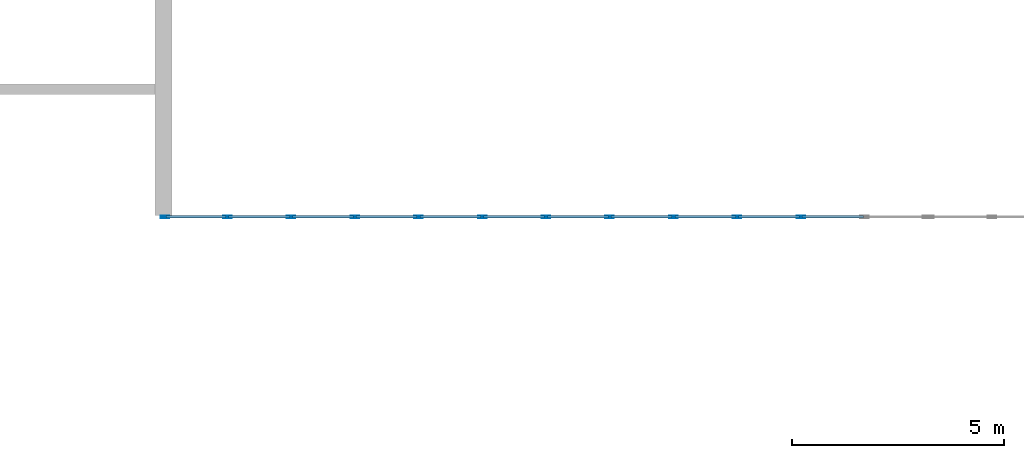
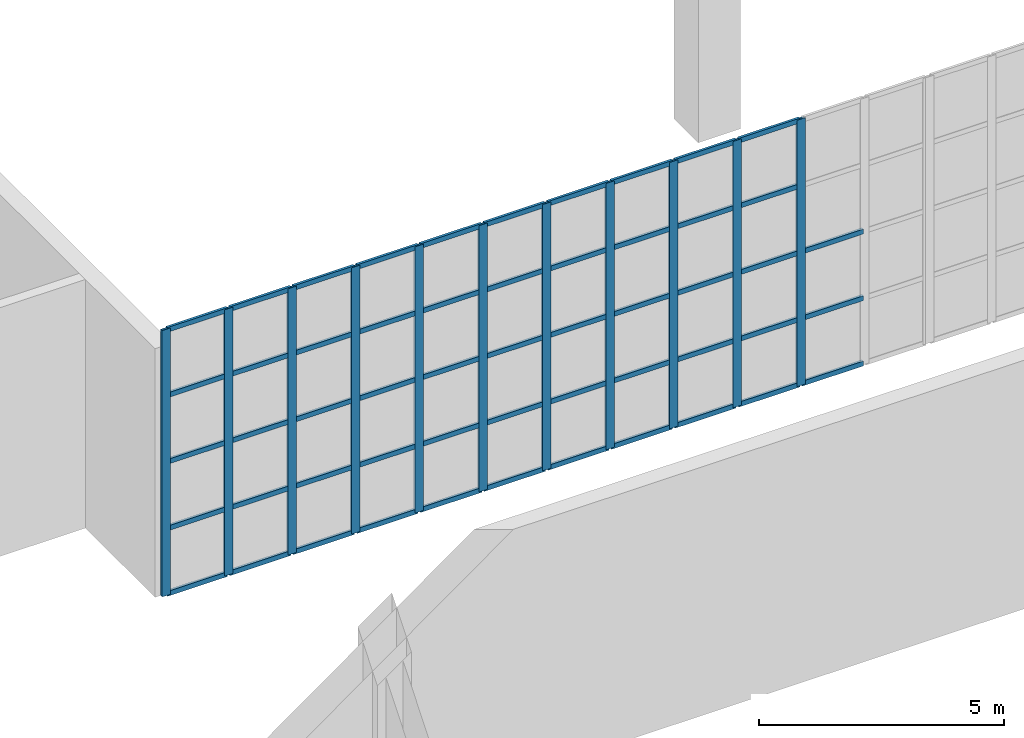
# One storey, part 18 of 85: 64 members, 1 element without a shape of its own.
"""IFC4 building model written with IfcOpenShell, lengths in metres."""

from ifc_helpers import new_model, si_unit, direction, frame, origin, origin_2d, place, context, subcontext, project, spatial, hollow_rectangle, extrude, material, layer, layer_set, material_profile, profile_set, type_object, element, aggregate, save


model = new_model("IFC4")

# Units and contexts
model_context = context("Model", 3, precision=1e-05, world=origin(), true_north=direction((0.0, 1.0)))
body_context = subcontext(model_context, "Body", "Model", "MODEL_VIEW")
ifc_project = project(units=[si_unit("LENGTHUNIT", "METRE"), si_unit("AREAUNIT", "SQUARE_METRE"), si_unit("VOLUMEUNIT", "CUBIC_METRE"), si_unit("PLANEANGLEUNIT", "RADIAN"), si_unit("MASSUNIT", "GRAM", prefix="KILO")], contexts=[model_context])

# Site, building, storey
site_placement = place(None, origin())
site = spatial("IfcSite", under=ifc_project, at=site_placement, CompositionType="ELEMENT")
building_placement = place(site_placement, origin())
building = spatial("IfcBuilding", under=site, at=building_placement, Name="Opaline Strait Convention Centre", CompositionType="ELEMENT")
storey_placement = place(building_placement, frame((0.0, 0.0, 17.0)))
storey = spatial("IfcBuildingStorey", under=building, at=storey_placement, Name="L03", CompositionType="ELEMENT", Elevation=17.0)

# Curtain wall, members
ifc_material_1 = material(Name="Aluminium framed glazing", Category="aluminium")
ifc_layer = layer(ifc_material_1, 0.199951171875)
ifc_layer_set = layer_set([ifc_layer], Name="Aluminium framed glazing")
curtain_wall_type = type_object("IfcCurtainWallType", Name="Entrance curtain wall 1500", PredefinedType="NOTDEFINED", material=ifc_layer_set)
curtain_wall_placement = place(storey_placement, origin())
curtain_wall = element("IfcCurtainWall", 1, at=curtain_wall_placement, inside=storey, type_object=curtain_wall_type, Name="Entrance curtain wall L03-R1", PredefinedType="NOTDEFINED")
ifc_material_2 = material(Name="Aluminium alloy 6063", Category="aluminium")
ifc_material_profile_1 = material_profile(ifc_material_2, hollow_rectangle(XDim=0.06005859375, YDim=0.199951171875, WallThickness=0.00390625, at=origin_2d()), Name="MULLION 60x200x4")
ifc_profile_set_1 = profile_set([ifc_material_profile_1], Name="Aluminium alloy 6063")
member_type_1 = type_object("IfcMemberType", Name="Curtain wall mullion 60 x 200", PredefinedType="MULLION", material=ifc_profile_set_1)
member_1_placement = place(storey_placement, frame((153.030029296875, 144.0, 0.0), z_axis=(0.0, 0.0, 1.0), x_axis=(0.0, 1.0, 0.0)))
member_1 = element("IfcMember", 2, at=member_1_placement, type_object=member_type_1, Name="XCW mullion 1", PredefinedType="MULLION", context=body_context, shape_type="SweptSolid", body=[
    extrude(hollow_rectangle(XDim=0.06005859375, YDim=0.199951171875, WallThickness=0.00390625, at=origin_2d()), origin(), (0.0, 0.0, 1.0), 6.639892578125),
])
member_2_placement = place(storey_placement, frame((154.5, 144.0, 0.0), z_axis=(0.0, 0.0, 1.0), x_axis=(0.0, 1.0, 0.0)))
member_2 = element("IfcMember", 3, at=member_2_placement, type_object=member_type_1, Name="XCW mullion 2", PredefinedType="MULLION", context=body_context, shape_type="SweptSolid", body=[
    extrude(hollow_rectangle(XDim=0.06005859375, YDim=0.199951171875, WallThickness=0.00390625, at=origin_2d()), origin(), (0.0, 0.0, 1.0), 6.639892578125),
])
member_3_placement = place(storey_placement, frame((156.0, 144.0, 0.0), z_axis=(0.0, 0.0, 1.0), x_axis=(0.0, 1.0, 0.0)))
member_3 = element("IfcMember", 4, at=member_3_placement, type_object=member_type_1, Name="XCW mullion 3", PredefinedType="MULLION", context=body_context, shape_type="SweptSolid", body=[
    extrude(hollow_rectangle(XDim=0.06005859375, YDim=0.199951171875, WallThickness=0.00390625, at=origin_2d()), origin(), (0.0, 0.0, 1.0), 6.639892578125),
])
member_4_placement = place(storey_placement, frame((157.5, 144.0, 0.0), z_axis=(0.0, 0.0, 1.0), x_axis=(0.0, 1.0, 0.0)))
member_4 = element("IfcMember", 5, at=member_4_placement, type_object=member_type_1, Name="XCW mullion 4", PredefinedType="MULLION", context=body_context, shape_type="SweptSolid", body=[
    extrude(hollow_rectangle(XDim=0.06005859375, YDim=0.199951171875, WallThickness=0.00390625, at=origin_2d()), origin(), (0.0, 0.0, 1.0), 6.639892578125),
])
member_5_placement = place(storey_placement, frame((159.0, 144.0, 0.0), z_axis=(0.0, 0.0, 1.0), x_axis=(0.0, 1.0, 0.0)))
member_5 = element("IfcMember", 6, at=member_5_placement, type_object=member_type_1, Name="XCW mullion 5", PredefinedType="MULLION", context=body_context, shape_type="SweptSolid", body=[
    extrude(hollow_rectangle(XDim=0.06005859375, YDim=0.199951171875, WallThickness=0.00390625, at=origin_2d()), origin(), (0.0, 0.0, 1.0), 6.639892578125),
])
member_6_placement = place(storey_placement, frame((160.5, 144.0, 0.0), z_axis=(0.0, 0.0, 1.0), x_axis=(0.0, 1.0, 0.0)))
member_6 = element("IfcMember", 7, at=member_6_placement, type_object=member_type_1, Name="XCW mullion 6", PredefinedType="MULLION", context=body_context, shape_type="SweptSolid", body=[
    extrude(hollow_rectangle(XDim=0.06005859375, YDim=0.199951171875, WallThickness=0.00390625, at=origin_2d()), origin(), (0.0, 0.0, 1.0), 6.639892578125),
])
member_7_placement = place(storey_placement, frame((162.0, 144.0, 0.0), z_axis=(0.0, 0.0, 1.0), x_axis=(0.0, 1.0, 0.0)))
member_7 = element("IfcMember", 8, at=member_7_placement, type_object=member_type_1, Name="XCW mullion 7", PredefinedType="MULLION", context=body_context, shape_type="SweptSolid", body=[
    extrude(hollow_rectangle(XDim=0.06005859375, YDim=0.199951171875, WallThickness=0.00390625, at=origin_2d()), origin(), (0.0, 0.0, 1.0), 6.639892578125),
])
member_8_placement = place(storey_placement, frame((163.5, 144.0, 0.0), z_axis=(0.0, 0.0, 1.0), x_axis=(0.0, 1.0, 0.0)))
member_8 = element("IfcMember", 9, at=member_8_placement, type_object=member_type_1, Name="XCW mullion 8", PredefinedType="MULLION", context=body_context, shape_type="SweptSolid", body=[
    extrude(hollow_rectangle(XDim=0.06005859375, YDim=0.199951171875, WallThickness=0.00390625, at=origin_2d()), origin(), (0.0, 0.0, 1.0), 6.639892578125),
])
member_9_placement = place(storey_placement, frame((165.0, 144.0, 0.0), z_axis=(0.0, 0.0, 1.0), x_axis=(0.0, 1.0, 0.0)))
member_9 = element("IfcMember", 10, at=member_9_placement, type_object=member_type_1, Name="XCW mullion 9", PredefinedType="MULLION", context=body_context, shape_type="SweptSolid", body=[
    extrude(hollow_rectangle(XDim=0.06005859375, YDim=0.199951171875, WallThickness=0.00390625, at=origin_2d()), origin(), (0.0, 0.0, 1.0), 6.639892578125),
])
member_10_placement = place(storey_placement, frame((166.5, 144.0, 0.0), z_axis=(0.0, 0.0, 1.0), x_axis=(0.0, 1.0, 0.0)))
member_10 = element("IfcMember", 11, at=member_10_placement, type_object=member_type_1, Name="XCW mullion 10", PredefinedType="MULLION", context=body_context, shape_type="SweptSolid", body=[
    extrude(hollow_rectangle(XDim=0.06005859375, YDim=0.199951171875, WallThickness=0.00390625, at=origin_2d()), origin(), (0.0, 0.0, 1.0), 6.639892578125),
])
member_11_placement = place(storey_placement, frame((168.0, 144.0, 0.0), z_axis=(0.0, 0.0, 1.0), x_axis=(0.0, 1.0, 0.0)))
member_11 = element("IfcMember", 12, at=member_11_placement, type_object=member_type_1, Name="XCW mullion 11", PredefinedType="MULLION", context=body_context, shape_type="SweptSolid", body=[
    extrude(hollow_rectangle(XDim=0.06005859375, YDim=0.199951171875, WallThickness=0.00390625, at=origin_2d()), origin(), (0.0, 0.0, 1.0), 6.639892578125),
])
ifc_material_profile_2 = material_profile(ifc_material_2, hollow_rectangle(XDim=0.06005859375, YDim=0.1201171875, WallThickness=0.0029296875, at=origin_2d()), Name="TRANSOM 60x120x3")
ifc_profile_set_2 = profile_set([ifc_material_profile_2], Name="Aluminium alloy 6063")
member_type_2 = type_object("IfcMemberType", Name="Curtain wall transom 60 x 120", PredefinedType="USERDEFINED", material=ifc_profile_set_2)
member_12_placement = place(storey_placement, frame((153.06005859375, 144.0, 0.030029296875), z_axis=(1.0, 0.0, 0.0), x_axis=(0.0, 1.0, 0.0)))
member_12 = element("IfcMember", 13, at=member_12_placement, type_object=member_type_2, Name="XCW transom 1.1", ObjectType="TRANSOM", PredefinedType="USERDEFINED", context=body_context, shape_type="SweptSolid", body=[
    extrude(hollow_rectangle(XDim=0.06005859375, YDim=0.1201171875, WallThickness=0.0029296875, at=origin_2d()), origin(), (0.0, 0.0, 1.0), 1.409912109375),
])
member_13_placement = place(storey_placement, frame((153.06005859375, 144.0, 1.659912109375), z_axis=(1.0, 0.0, 0.0), x_axis=(0.0, 1.0, 0.0)))
member_13 = element("IfcMember", 14, at=member_13_placement, type_object=member_type_2, Name="XCW transom 1.2", ObjectType="TRANSOM", PredefinedType="USERDEFINED", context=body_context, shape_type="SweptSolid", body=[
    extrude(hollow_rectangle(XDim=0.06005859375, YDim=0.1201171875, WallThickness=0.0029296875, at=origin_2d()), origin(), (0.0, 0.0, 1.0), 1.409912109375),
])
member_14_placement = place(storey_placement, frame((153.06005859375, 144.0, 3.320068359375), z_axis=(1.0, 0.0, 0.0), x_axis=(0.0, 1.0, 0.0)))
member_14 = element("IfcMember", 15, at=member_14_placement, type_object=member_type_2, Name="XCW transom 1.3", ObjectType="TRANSOM", PredefinedType="USERDEFINED", context=body_context, shape_type="SweptSolid", body=[
    extrude(hollow_rectangle(XDim=0.06005859375, YDim=0.1201171875, WallThickness=0.0029296875, at=origin_2d()), origin(), (0.0, 0.0, 1.0), 1.409912109375),
])
member_15_placement = place(storey_placement, frame((153.06005859375, 144.0, 4.97998046875), z_axis=(1.0, 0.0, 0.0), x_axis=(0.0, 1.0, 0.0)))
member_15 = element("IfcMember", 16, at=member_15_placement, type_object=member_type_2, Name="XCW transom 1.4", ObjectType="TRANSOM", PredefinedType="USERDEFINED", context=body_context, shape_type="SweptSolid", body=[
    extrude(hollow_rectangle(XDim=0.06005859375, YDim=0.1201171875, WallThickness=0.0029296875, at=origin_2d()), origin(), (0.0, 0.0, 1.0), 1.409912109375),
])
member_16_placement = place(storey_placement, frame((153.06005859375, 144.0, 6.610107421875), z_axis=(1.0, 0.0, 0.0), x_axis=(0.0, 1.0, 0.0)))
member_16 = element("IfcMember", 17, at=member_16_placement, type_object=member_type_2, Name="XCW transom 1.5", ObjectType="TRANSOM", PredefinedType="USERDEFINED", context=body_context, shape_type="SweptSolid", body=[
    extrude(hollow_rectangle(XDim=0.06005859375, YDim=0.1201171875, WallThickness=0.0029296875, at=origin_2d()), origin(), (0.0, 0.0, 1.0), 1.409912109375),
])
member_17_placement = place(storey_placement, frame((154.530029296875, 144.0, 0.030029296875), z_axis=(1.0, 0.0, 0.0), x_axis=(0.0, 1.0, 0.0)))
member_17 = element("IfcMember", 18, at=member_17_placement, type_object=member_type_2, Name="XCW transom 2.1", ObjectType="TRANSOM", PredefinedType="USERDEFINED", context=body_context, shape_type="SweptSolid", body=[
    extrude(hollow_rectangle(XDim=0.06005859375, YDim=0.1201171875, WallThickness=0.0029296875, at=origin_2d()), origin(), (0.0, 0.0, 1.0), 1.43994140625),
])
member_18_placement = place(storey_placement, frame((154.530029296875, 144.0, 1.659912109375), z_axis=(1.0, 0.0, 0.0), x_axis=(0.0, 1.0, 0.0)))
member_18 = element("IfcMember", 19, at=member_18_placement, type_object=member_type_2, Name="XCW transom 2.2", ObjectType="TRANSOM", PredefinedType="USERDEFINED", context=body_context, shape_type="SweptSolid", body=[
    extrude(hollow_rectangle(XDim=0.06005859375, YDim=0.1201171875, WallThickness=0.0029296875, at=origin_2d()), origin(), (0.0, 0.0, 1.0), 1.43994140625),
])
member_19_placement = place(storey_placement, frame((154.530029296875, 144.0, 3.320068359375), z_axis=(1.0, 0.0, 0.0), x_axis=(0.0, 1.0, 0.0)))
member_19 = element("IfcMember", 20, at=member_19_placement, type_object=member_type_2, Name="XCW transom 2.3", ObjectType="TRANSOM", PredefinedType="USERDEFINED", context=body_context, shape_type="SweptSolid", body=[
    extrude(hollow_rectangle(XDim=0.06005859375, YDim=0.1201171875, WallThickness=0.0029296875, at=origin_2d()), origin(), (0.0, 0.0, 1.0), 1.43994140625),
])
member_20_placement = place(storey_placement, frame((154.530029296875, 144.0, 4.97998046875), z_axis=(1.0, 0.0, 0.0), x_axis=(0.0, 1.0, 0.0)))
member_20 = element("IfcMember", 21, at=member_20_placement, type_object=member_type_2, Name="XCW transom 2.4", ObjectType="TRANSOM", PredefinedType="USERDEFINED", context=body_context, shape_type="SweptSolid", body=[
    extrude(hollow_rectangle(XDim=0.06005859375, YDim=0.1201171875, WallThickness=0.0029296875, at=origin_2d()), origin(), (0.0, 0.0, 1.0), 1.43994140625),
])
member_21_placement = place(storey_placement, frame((154.530029296875, 144.0, 6.610107421875), z_axis=(1.0, 0.0, 0.0), x_axis=(0.0, 1.0, 0.0)))
member_21 = element("IfcMember", 22, at=member_21_placement, type_object=member_type_2, Name="XCW transom 2.5", ObjectType="TRANSOM", PredefinedType="USERDEFINED", context=body_context, shape_type="SweptSolid", body=[
    extrude(hollow_rectangle(XDim=0.06005859375, YDim=0.1201171875, WallThickness=0.0029296875, at=origin_2d()), origin(), (0.0, 0.0, 1.0), 1.43994140625),
])
member_22_placement = place(storey_placement, frame((156.030029296875, 144.0, 0.030029296875), z_axis=(1.0, 0.0, 0.0), x_axis=(0.0, 1.0, 0.0)))
member_22 = element("IfcMember", 23, at=member_22_placement, type_object=member_type_2, Name="XCW transom 3.1", ObjectType="TRANSOM", PredefinedType="USERDEFINED", context=body_context, shape_type="SweptSolid", body=[
    extrude(hollow_rectangle(XDim=0.06005859375, YDim=0.1201171875, WallThickness=0.0029296875, at=origin_2d()), origin(), (0.0, 0.0, 1.0), 1.43994140625),
])
member_23_placement = place(storey_placement, frame((156.030029296875, 144.0, 1.659912109375), z_axis=(1.0, 0.0, 0.0), x_axis=(0.0, 1.0, 0.0)))
member_23 = element("IfcMember", 24, at=member_23_placement, type_object=member_type_2, Name="XCW transom 3.2", ObjectType="TRANSOM", PredefinedType="USERDEFINED", context=body_context, shape_type="SweptSolid", body=[
    extrude(hollow_rectangle(XDim=0.06005859375, YDim=0.1201171875, WallThickness=0.0029296875, at=origin_2d()), origin(), (0.0, 0.0, 1.0), 1.43994140625),
])
member_24_placement = place(storey_placement, frame((156.030029296875, 144.0, 3.320068359375), z_axis=(1.0, 0.0, 0.0), x_axis=(0.0, 1.0, 0.0)))
member_24 = element("IfcMember", 25, at=member_24_placement, type_object=member_type_2, Name="XCW transom 3.3", ObjectType="TRANSOM", PredefinedType="USERDEFINED", context=body_context, shape_type="SweptSolid", body=[
    extrude(hollow_rectangle(XDim=0.06005859375, YDim=0.1201171875, WallThickness=0.0029296875, at=origin_2d()), origin(), (0.0, 0.0, 1.0), 1.43994140625),
])
member_25_placement = place(storey_placement, frame((156.030029296875, 144.0, 4.97998046875), z_axis=(1.0, 0.0, 0.0), x_axis=(0.0, 1.0, 0.0)))
member_25 = element("IfcMember", 26, at=member_25_placement, type_object=member_type_2, Name="XCW transom 3.4", ObjectType="TRANSOM", PredefinedType="USERDEFINED", context=body_context, shape_type="SweptSolid", body=[
    extrude(hollow_rectangle(XDim=0.06005859375, YDim=0.1201171875, WallThickness=0.0029296875, at=origin_2d()), origin(), (0.0, 0.0, 1.0), 1.43994140625),
])
member_26_placement = place(storey_placement, frame((156.030029296875, 144.0, 6.610107421875), z_axis=(1.0, 0.0, 0.0), x_axis=(0.0, 1.0, 0.0)))
member_26 = element("IfcMember", 27, at=member_26_placement, type_object=member_type_2, Name="XCW transom 3.5", ObjectType="TRANSOM", PredefinedType="USERDEFINED", context=body_context, shape_type="SweptSolid", body=[
    extrude(hollow_rectangle(XDim=0.06005859375, YDim=0.1201171875, WallThickness=0.0029296875, at=origin_2d()), origin(), (0.0, 0.0, 1.0), 1.43994140625),
])
member_27_placement = place(storey_placement, frame((157.530029296875, 144.0, 0.030029296875), z_axis=(1.0, 0.0, 0.0), x_axis=(0.0, 1.0, 0.0)))
member_27 = element("IfcMember", 28, at=member_27_placement, type_object=member_type_2, Name="XCW transom 4.1", ObjectType="TRANSOM", PredefinedType="USERDEFINED", context=body_context, shape_type="SweptSolid", body=[
    extrude(hollow_rectangle(XDim=0.06005859375, YDim=0.1201171875, WallThickness=0.0029296875, at=origin_2d()), origin(), (0.0, 0.0, 1.0), 1.43994140625),
])
member_28_placement = place(storey_placement, frame((157.530029296875, 144.0, 1.659912109375), z_axis=(1.0, 0.0, 0.0), x_axis=(0.0, 1.0, 0.0)))
member_28 = element("IfcMember", 29, at=member_28_placement, type_object=member_type_2, Name="XCW transom 4.2", ObjectType="TRANSOM", PredefinedType="USERDEFINED", context=body_context, shape_type="SweptSolid", body=[
    extrude(hollow_rectangle(XDim=0.06005859375, YDim=0.1201171875, WallThickness=0.0029296875, at=origin_2d()), origin(), (0.0, 0.0, 1.0), 1.43994140625),
])
member_29_placement = place(storey_placement, frame((157.530029296875, 144.0, 3.320068359375), z_axis=(1.0, 0.0, 0.0), x_axis=(0.0, 1.0, 0.0)))
member_29 = element("IfcMember", 30, at=member_29_placement, type_object=member_type_2, Name="XCW transom 4.3", ObjectType="TRANSOM", PredefinedType="USERDEFINED", context=body_context, shape_type="SweptSolid", body=[
    extrude(hollow_rectangle(XDim=0.06005859375, YDim=0.1201171875, WallThickness=0.0029296875, at=origin_2d()), origin(), (0.0, 0.0, 1.0), 1.43994140625),
])
member_30_placement = place(storey_placement, frame((157.530029296875, 144.0, 4.97998046875), z_axis=(1.0, 0.0, 0.0), x_axis=(0.0, 1.0, 0.0)))
member_30 = element("IfcMember", 31, at=member_30_placement, type_object=member_type_2, Name="XCW transom 4.4", ObjectType="TRANSOM", PredefinedType="USERDEFINED", context=body_context, shape_type="SweptSolid", body=[
    extrude(hollow_rectangle(XDim=0.06005859375, YDim=0.1201171875, WallThickness=0.0029296875, at=origin_2d()), origin(), (0.0, 0.0, 1.0), 1.43994140625),
])
member_31_placement = place(storey_placement, frame((157.530029296875, 144.0, 6.610107421875), z_axis=(1.0, 0.0, 0.0), x_axis=(0.0, 1.0, 0.0)))
member_31 = element("IfcMember", 32, at=member_31_placement, type_object=member_type_2, Name="XCW transom 4.5", ObjectType="TRANSOM", PredefinedType="USERDEFINED", context=body_context, shape_type="SweptSolid", body=[
    extrude(hollow_rectangle(XDim=0.06005859375, YDim=0.1201171875, WallThickness=0.0029296875, at=origin_2d()), origin(), (0.0, 0.0, 1.0), 1.43994140625),
])
member_32_placement = place(storey_placement, frame((159.030029296875, 144.0, 0.030029296875), z_axis=(1.0, 0.0, 0.0), x_axis=(0.0, 1.0, 0.0)))
member_32 = element("IfcMember", 33, at=member_32_placement, type_object=member_type_2, Name="XCW transom 5.1", ObjectType="TRANSOM", PredefinedType="USERDEFINED", context=body_context, shape_type="SweptSolid", body=[
    extrude(hollow_rectangle(XDim=0.06005859375, YDim=0.1201171875, WallThickness=0.0029296875, at=origin_2d()), origin(), (0.0, 0.0, 1.0), 1.43994140625),
])
member_33_placement = place(storey_placement, frame((159.030029296875, 144.0, 1.659912109375), z_axis=(1.0, 0.0, 0.0), x_axis=(0.0, 1.0, 0.0)))
member_33 = element("IfcMember", 34, at=member_33_placement, type_object=member_type_2, Name="XCW transom 5.2", ObjectType="TRANSOM", PredefinedType="USERDEFINED", context=body_context, shape_type="SweptSolid", body=[
    extrude(hollow_rectangle(XDim=0.06005859375, YDim=0.1201171875, WallThickness=0.0029296875, at=origin_2d()), origin(), (0.0, 0.0, 1.0), 1.43994140625),
])
member_34_placement = place(storey_placement, frame((159.030029296875, 144.0, 3.320068359375), z_axis=(1.0, 0.0, 0.0), x_axis=(0.0, 1.0, 0.0)))
member_34 = element("IfcMember", 35, at=member_34_placement, type_object=member_type_2, Name="XCW transom 5.3", ObjectType="TRANSOM", PredefinedType="USERDEFINED", context=body_context, shape_type="SweptSolid", body=[
    extrude(hollow_rectangle(XDim=0.06005859375, YDim=0.1201171875, WallThickness=0.0029296875, at=origin_2d()), origin(), (0.0, 0.0, 1.0), 1.43994140625),
])
member_35_placement = place(storey_placement, frame((159.030029296875, 144.0, 4.97998046875), z_axis=(1.0, 0.0, 0.0), x_axis=(0.0, 1.0, 0.0)))
member_35 = element("IfcMember", 36, at=member_35_placement, type_object=member_type_2, Name="XCW transom 5.4", ObjectType="TRANSOM", PredefinedType="USERDEFINED", context=body_context, shape_type="SweptSolid", body=[
    extrude(hollow_rectangle(XDim=0.06005859375, YDim=0.1201171875, WallThickness=0.0029296875, at=origin_2d()), origin(), (0.0, 0.0, 1.0), 1.43994140625),
])
member_36_placement = place(storey_placement, frame((159.030029296875, 144.0, 6.610107421875), z_axis=(1.0, 0.0, 0.0), x_axis=(0.0, 1.0, 0.0)))
member_36 = element("IfcMember", 37, at=member_36_placement, type_object=member_type_2, Name="XCW transom 5.5", ObjectType="TRANSOM", PredefinedType="USERDEFINED", context=body_context, shape_type="SweptSolid", body=[
    extrude(hollow_rectangle(XDim=0.06005859375, YDim=0.1201171875, WallThickness=0.0029296875, at=origin_2d()), origin(), (0.0, 0.0, 1.0), 1.43994140625),
])
member_37_placement = place(storey_placement, frame((160.530029296875, 144.0, 0.030029296875), z_axis=(1.0, 0.0, 0.0), x_axis=(0.0, 1.0, 0.0)))
member_37 = element("IfcMember", 38, at=member_37_placement, type_object=member_type_2, Name="XCW transom 6.1", ObjectType="TRANSOM", PredefinedType="USERDEFINED", context=body_context, shape_type="SweptSolid", body=[
    extrude(hollow_rectangle(XDim=0.06005859375, YDim=0.1201171875, WallThickness=0.0029296875, at=origin_2d()), origin(), (0.0, 0.0, 1.0), 1.43994140625),
])
member_38_placement = place(storey_placement, frame((160.530029296875, 144.0, 1.659912109375), z_axis=(1.0, 0.0, 0.0), x_axis=(0.0, 1.0, 0.0)))
member_38 = element("IfcMember", 39, at=member_38_placement, type_object=member_type_2, Name="XCW transom 6.2", ObjectType="TRANSOM", PredefinedType="USERDEFINED", context=body_context, shape_type="SweptSolid", body=[
    extrude(hollow_rectangle(XDim=0.06005859375, YDim=0.1201171875, WallThickness=0.0029296875, at=origin_2d()), origin(), (0.0, 0.0, 1.0), 1.43994140625),
])
member_39_placement = place(storey_placement, frame((160.530029296875, 144.0, 3.320068359375), z_axis=(1.0, 0.0, 0.0), x_axis=(0.0, 1.0, 0.0)))
member_39 = element("IfcMember", 40, at=member_39_placement, type_object=member_type_2, Name="XCW transom 6.3", ObjectType="TRANSOM", PredefinedType="USERDEFINED", context=body_context, shape_type="SweptSolid", body=[
    extrude(hollow_rectangle(XDim=0.06005859375, YDim=0.1201171875, WallThickness=0.0029296875, at=origin_2d()), origin(), (0.0, 0.0, 1.0), 1.43994140625),
])
member_40_placement = place(storey_placement, frame((160.530029296875, 144.0, 4.97998046875), z_axis=(1.0, 0.0, 0.0), x_axis=(0.0, 1.0, 0.0)))
member_40 = element("IfcMember", 41, at=member_40_placement, type_object=member_type_2, Name="XCW transom 6.4", ObjectType="TRANSOM", PredefinedType="USERDEFINED", context=body_context, shape_type="SweptSolid", body=[
    extrude(hollow_rectangle(XDim=0.06005859375, YDim=0.1201171875, WallThickness=0.0029296875, at=origin_2d()), origin(), (0.0, 0.0, 1.0), 1.43994140625),
])
member_41_placement = place(storey_placement, frame((160.530029296875, 144.0, 6.610107421875), z_axis=(1.0, 0.0, 0.0), x_axis=(0.0, 1.0, 0.0)))
member_41 = element("IfcMember", 42, at=member_41_placement, type_object=member_type_2, Name="XCW transom 6.5", ObjectType="TRANSOM", PredefinedType="USERDEFINED", context=body_context, shape_type="SweptSolid", body=[
    extrude(hollow_rectangle(XDim=0.06005859375, YDim=0.1201171875, WallThickness=0.0029296875, at=origin_2d()), origin(), (0.0, 0.0, 1.0), 1.43994140625),
])
member_42_placement = place(storey_placement, frame((162.030029296875, 144.0, 0.030029296875), z_axis=(1.0, 0.0, 0.0), x_axis=(0.0, 1.0, 0.0)))
member_42 = element("IfcMember", 43, at=member_42_placement, type_object=member_type_2, Name="XCW transom 7.1", ObjectType="TRANSOM", PredefinedType="USERDEFINED", context=body_context, shape_type="SweptSolid", body=[
    extrude(hollow_rectangle(XDim=0.06005859375, YDim=0.1201171875, WallThickness=0.0029296875, at=origin_2d()), origin(), (0.0, 0.0, 1.0), 1.43994140625),
])
member_43_placement = place(storey_placement, frame((162.030029296875, 144.0, 1.659912109375), z_axis=(1.0, 0.0, 0.0), x_axis=(0.0, 1.0, 0.0)))
member_43 = element("IfcMember", 44, at=member_43_placement, type_object=member_type_2, Name="XCW transom 7.2", ObjectType="TRANSOM", PredefinedType="USERDEFINED", context=body_context, shape_type="SweptSolid", body=[
    extrude(hollow_rectangle(XDim=0.06005859375, YDim=0.1201171875, WallThickness=0.0029296875, at=origin_2d()), origin(), (0.0, 0.0, 1.0), 1.43994140625),
])
member_44_placement = place(storey_placement, frame((162.030029296875, 144.0, 3.320068359375), z_axis=(1.0, 0.0, 0.0), x_axis=(0.0, 1.0, 0.0)))
member_44 = element("IfcMember", 45, at=member_44_placement, type_object=member_type_2, Name="XCW transom 7.3", ObjectType="TRANSOM", PredefinedType="USERDEFINED", context=body_context, shape_type="SweptSolid", body=[
    extrude(hollow_rectangle(XDim=0.06005859375, YDim=0.1201171875, WallThickness=0.0029296875, at=origin_2d()), origin(), (0.0, 0.0, 1.0), 1.43994140625),
])
member_45_placement = place(storey_placement, frame((162.030029296875, 144.0, 4.97998046875), z_axis=(1.0, 0.0, 0.0), x_axis=(0.0, 1.0, 0.0)))
member_45 = element("IfcMember", 46, at=member_45_placement, type_object=member_type_2, Name="XCW transom 7.4", ObjectType="TRANSOM", PredefinedType="USERDEFINED", context=body_context, shape_type="SweptSolid", body=[
    extrude(hollow_rectangle(XDim=0.06005859375, YDim=0.1201171875, WallThickness=0.0029296875, at=origin_2d()), origin(), (0.0, 0.0, 1.0), 1.43994140625),
])
member_46_placement = place(storey_placement, frame((162.030029296875, 144.0, 6.610107421875), z_axis=(1.0, 0.0, 0.0), x_axis=(0.0, 1.0, 0.0)))
member_46 = element("IfcMember", 47, at=member_46_placement, type_object=member_type_2, Name="XCW transom 7.5", ObjectType="TRANSOM", PredefinedType="USERDEFINED", context=body_context, shape_type="SweptSolid", body=[
    extrude(hollow_rectangle(XDim=0.06005859375, YDim=0.1201171875, WallThickness=0.0029296875, at=origin_2d()), origin(), (0.0, 0.0, 1.0), 1.43994140625),
])
member_47_placement = place(storey_placement, frame((163.530029296875, 144.0, 0.030029296875), z_axis=(1.0, 0.0, 0.0), x_axis=(0.0, 1.0, 0.0)))
member_47 = element("IfcMember", 48, at=member_47_placement, type_object=member_type_2, Name="XCW transom 8.1", ObjectType="TRANSOM", PredefinedType="USERDEFINED", context=body_context, shape_type="SweptSolid", body=[
    extrude(hollow_rectangle(XDim=0.06005859375, YDim=0.1201171875, WallThickness=0.0029296875, at=origin_2d()), origin(), (0.0, 0.0, 1.0), 1.43994140625),
])
member_48_placement = place(storey_placement, frame((163.530029296875, 144.0, 1.659912109375), z_axis=(1.0, 0.0, 0.0), x_axis=(0.0, 1.0, 0.0)))
member_48 = element("IfcMember", 49, at=member_48_placement, type_object=member_type_2, Name="XCW transom 8.2", ObjectType="TRANSOM", PredefinedType="USERDEFINED", context=body_context, shape_type="SweptSolid", body=[
    extrude(hollow_rectangle(XDim=0.06005859375, YDim=0.1201171875, WallThickness=0.0029296875, at=origin_2d()), origin(), (0.0, 0.0, 1.0), 1.43994140625),
])
member_49_placement = place(storey_placement, frame((163.530029296875, 144.0, 3.320068359375), z_axis=(1.0, 0.0, 0.0), x_axis=(0.0, 1.0, 0.0)))
member_49 = element("IfcMember", 50, at=member_49_placement, type_object=member_type_2, Name="XCW transom 8.3", ObjectType="TRANSOM", PredefinedType="USERDEFINED", context=body_context, shape_type="SweptSolid", body=[
    extrude(hollow_rectangle(XDim=0.06005859375, YDim=0.1201171875, WallThickness=0.0029296875, at=origin_2d()), origin(), (0.0, 0.0, 1.0), 1.43994140625),
])
member_50_placement = place(storey_placement, frame((163.530029296875, 144.0, 4.97998046875), z_axis=(1.0, 0.0, 0.0), x_axis=(0.0, 1.0, 0.0)))
member_50 = element("IfcMember", 51, at=member_50_placement, type_object=member_type_2, Name="XCW transom 8.4", ObjectType="TRANSOM", PredefinedType="USERDEFINED", context=body_context, shape_type="SweptSolid", body=[
    extrude(hollow_rectangle(XDim=0.06005859375, YDim=0.1201171875, WallThickness=0.0029296875, at=origin_2d()), origin(), (0.0, 0.0, 1.0), 1.43994140625),
])
member_51_placement = place(storey_placement, frame((163.530029296875, 144.0, 6.610107421875), z_axis=(1.0, 0.0, 0.0), x_axis=(0.0, 1.0, 0.0)))
member_51 = element("IfcMember", 52, at=member_51_placement, type_object=member_type_2, Name="XCW transom 8.5", ObjectType="TRANSOM", PredefinedType="USERDEFINED", context=body_context, shape_type="SweptSolid", body=[
    extrude(hollow_rectangle(XDim=0.06005859375, YDim=0.1201171875, WallThickness=0.0029296875, at=origin_2d()), origin(), (0.0, 0.0, 1.0), 1.43994140625),
])
member_52_placement = place(storey_placement, frame((165.030029296875, 144.0, 0.030029296875), z_axis=(1.0, 0.0, 0.0), x_axis=(0.0, 1.0, 0.0)))
member_52 = element("IfcMember", 53, at=member_52_placement, type_object=member_type_2, Name="XCW transom 9.1", ObjectType="TRANSOM", PredefinedType="USERDEFINED", context=body_context, shape_type="SweptSolid", body=[
    extrude(hollow_rectangle(XDim=0.06005859375, YDim=0.1201171875, WallThickness=0.0029296875, at=origin_2d()), origin(), (0.0, 0.0, 1.0), 1.43994140625),
])
member_53_placement = place(storey_placement, frame((165.030029296875, 144.0, 1.659912109375), z_axis=(1.0, 0.0, 0.0), x_axis=(0.0, 1.0, 0.0)))
member_53 = element("IfcMember", 54, at=member_53_placement, type_object=member_type_2, Name="XCW transom 9.2", ObjectType="TRANSOM", PredefinedType="USERDEFINED", context=body_context, shape_type="SweptSolid", body=[
    extrude(hollow_rectangle(XDim=0.06005859375, YDim=0.1201171875, WallThickness=0.0029296875, at=origin_2d()), origin(), (0.0, 0.0, 1.0), 1.43994140625),
])
member_54_placement = place(storey_placement, frame((165.030029296875, 144.0, 3.320068359375), z_axis=(1.0, 0.0, 0.0), x_axis=(0.0, 1.0, 0.0)))
member_54 = element("IfcMember", 55, at=member_54_placement, type_object=member_type_2, Name="XCW transom 9.3", ObjectType="TRANSOM", PredefinedType="USERDEFINED", context=body_context, shape_type="SweptSolid", body=[
    extrude(hollow_rectangle(XDim=0.06005859375, YDim=0.1201171875, WallThickness=0.0029296875, at=origin_2d()), origin(), (0.0, 0.0, 1.0), 1.43994140625),
])
member_55_placement = place(storey_placement, frame((165.030029296875, 144.0, 4.97998046875), z_axis=(1.0, 0.0, 0.0), x_axis=(0.0, 1.0, 0.0)))
member_55 = element("IfcMember", 56, at=member_55_placement, type_object=member_type_2, Name="XCW transom 9.4", ObjectType="TRANSOM", PredefinedType="USERDEFINED", context=body_context, shape_type="SweptSolid", body=[
    extrude(hollow_rectangle(XDim=0.06005859375, YDim=0.1201171875, WallThickness=0.0029296875, at=origin_2d()), origin(), (0.0, 0.0, 1.0), 1.43994140625),
])
member_56_placement = place(storey_placement, frame((165.030029296875, 144.0, 6.610107421875), z_axis=(1.0, 0.0, 0.0), x_axis=(0.0, 1.0, 0.0)))
member_56 = element("IfcMember", 57, at=member_56_placement, type_object=member_type_2, Name="XCW transom 9.5", ObjectType="TRANSOM", PredefinedType="USERDEFINED", context=body_context, shape_type="SweptSolid", body=[
    extrude(hollow_rectangle(XDim=0.06005859375, YDim=0.1201171875, WallThickness=0.0029296875, at=origin_2d()), origin(), (0.0, 0.0, 1.0), 1.43994140625),
])
member_57_placement = place(storey_placement, frame((166.530029296875, 144.0, 0.030029296875), z_axis=(1.0, 0.0, 0.0), x_axis=(0.0, 1.0, 0.0)))
member_57 = element("IfcMember", 58, at=member_57_placement, type_object=member_type_2, Name="XCW transom 10.1", ObjectType="TRANSOM", PredefinedType="USERDEFINED", context=body_context, shape_type="SweptSolid", body=[
    extrude(hollow_rectangle(XDim=0.06005859375, YDim=0.1201171875, WallThickness=0.0029296875, at=origin_2d()), origin(), (0.0, 0.0, 1.0), 1.43994140625),
])
member_58_placement = place(storey_placement, frame((166.530029296875, 144.0, 1.659912109375), z_axis=(1.0, 0.0, 0.0), x_axis=(0.0, 1.0, 0.0)))
member_58 = element("IfcMember", 59, at=member_58_placement, type_object=member_type_2, Name="XCW transom 10.2", ObjectType="TRANSOM", PredefinedType="USERDEFINED", context=body_context, shape_type="SweptSolid", body=[
    extrude(hollow_rectangle(XDim=0.06005859375, YDim=0.1201171875, WallThickness=0.0029296875, at=origin_2d()), origin(), (0.0, 0.0, 1.0), 1.43994140625),
])
member_59_placement = place(storey_placement, frame((166.530029296875, 144.0, 3.320068359375), z_axis=(1.0, 0.0, 0.0), x_axis=(0.0, 1.0, 0.0)))
member_59 = element("IfcMember", 60, at=member_59_placement, type_object=member_type_2, Name="XCW transom 10.3", ObjectType="TRANSOM", PredefinedType="USERDEFINED", context=body_context, shape_type="SweptSolid", body=[
    extrude(hollow_rectangle(XDim=0.06005859375, YDim=0.1201171875, WallThickness=0.0029296875, at=origin_2d()), origin(), (0.0, 0.0, 1.0), 1.43994140625),
])
member_60_placement = place(storey_placement, frame((166.530029296875, 144.0, 4.97998046875), z_axis=(1.0, 0.0, 0.0), x_axis=(0.0, 1.0, 0.0)))
member_60 = element("IfcMember", 61, at=member_60_placement, type_object=member_type_2, Name="XCW transom 10.4", ObjectType="TRANSOM", PredefinedType="USERDEFINED", context=body_context, shape_type="SweptSolid", body=[
    extrude(hollow_rectangle(XDim=0.06005859375, YDim=0.1201171875, WallThickness=0.0029296875, at=origin_2d()), origin(), (0.0, 0.0, 1.0), 1.43994140625),
])
member_61_placement = place(storey_placement, frame((166.530029296875, 144.0, 6.610107421875), z_axis=(1.0, 0.0, 0.0), x_axis=(0.0, 1.0, 0.0)))
member_61 = element("IfcMember", 62, at=member_61_placement, type_object=member_type_2, Name="XCW transom 10.5", ObjectType="TRANSOM", PredefinedType="USERDEFINED", context=body_context, shape_type="SweptSolid", body=[
    extrude(hollow_rectangle(XDim=0.06005859375, YDim=0.1201171875, WallThickness=0.0029296875, at=origin_2d()), origin(), (0.0, 0.0, 1.0), 1.43994140625),
])
member_62_placement = place(storey_placement, frame((168.030029296875, 144.0, 0.030029296875), z_axis=(1.0, 0.0, 0.0), x_axis=(0.0, 1.0, 0.0)))
member_62 = element("IfcMember", 63, at=member_62_placement, type_object=member_type_2, Name="XCW transom 11.1", ObjectType="TRANSOM", PredefinedType="USERDEFINED", context=body_context, shape_type="SweptSolid", body=[
    extrude(hollow_rectangle(XDim=0.06005859375, YDim=0.1201171875, WallThickness=0.0029296875, at=origin_2d()), origin(), (0.0, 0.0, 1.0), 1.43994140625),
])
member_63_placement = place(storey_placement, frame((168.030029296875, 144.0, 1.659912109375), z_axis=(1.0, 0.0, 0.0), x_axis=(0.0, 1.0, 0.0)))
member_63 = element("IfcMember", 64, at=member_63_placement, type_object=member_type_2, Name="XCW transom 11.2", ObjectType="TRANSOM", PredefinedType="USERDEFINED", context=body_context, shape_type="SweptSolid", body=[
    extrude(hollow_rectangle(XDim=0.06005859375, YDim=0.1201171875, WallThickness=0.0029296875, at=origin_2d()), origin(), (0.0, 0.0, 1.0), 1.43994140625),
])
member_64_placement = place(storey_placement, frame((168.030029296875, 144.0, 3.320068359375), z_axis=(1.0, 0.0, 0.0), x_axis=(0.0, 1.0, 0.0)))
member_64 = element("IfcMember", 65, at=member_64_placement, type_object=member_type_2, Name="XCW transom 11.3", ObjectType="TRANSOM", PredefinedType="USERDEFINED", context=body_context, shape_type="SweptSolid", body=[
    extrude(hollow_rectangle(XDim=0.06005859375, YDim=0.1201171875, WallThickness=0.0029296875, at=origin_2d()), origin(), (0.0, 0.0, 1.0), 1.43994140625),
])
aggregate(curtain_wall, [member_1, member_2, member_3, member_4, member_5, member_6, member_7, member_8, member_9, member_10, member_11, member_12, member_13, member_14, member_15, member_16, member_17, member_18, member_19, member_20, member_21, member_22, member_23, member_24, member_25, member_26, member_27, member_28, member_29, member_30, member_31, member_32, member_33, member_34, member_35, member_36, member_37, member_38, member_39, member_40, member_41, member_42, member_43, member_44, member_45, member_46, member_47, member_48, member_49, member_50, member_51, member_52, member_53, member_54, member_55, member_56, member_57, member_58, member_59, member_60, member_61, member_62, member_63, member_64])

save(model, "model.ifc")
